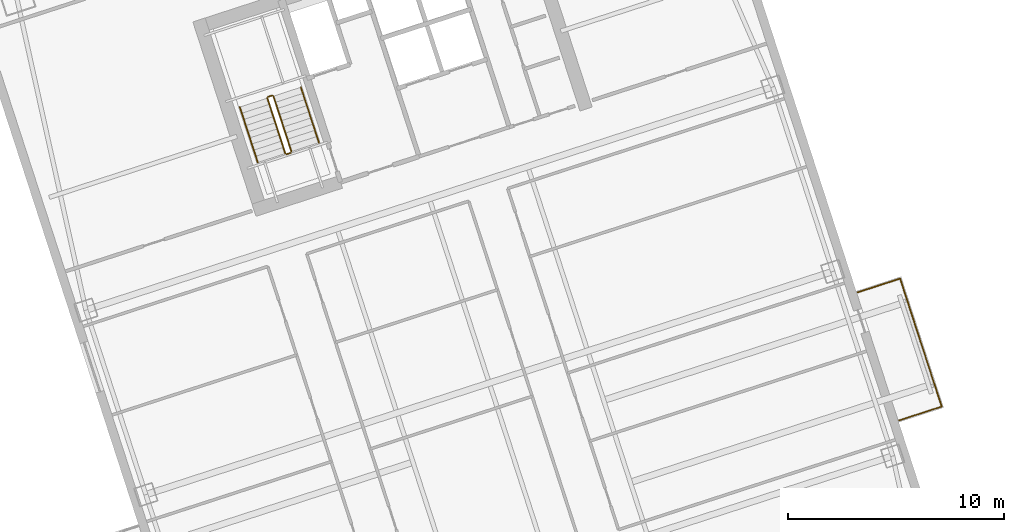
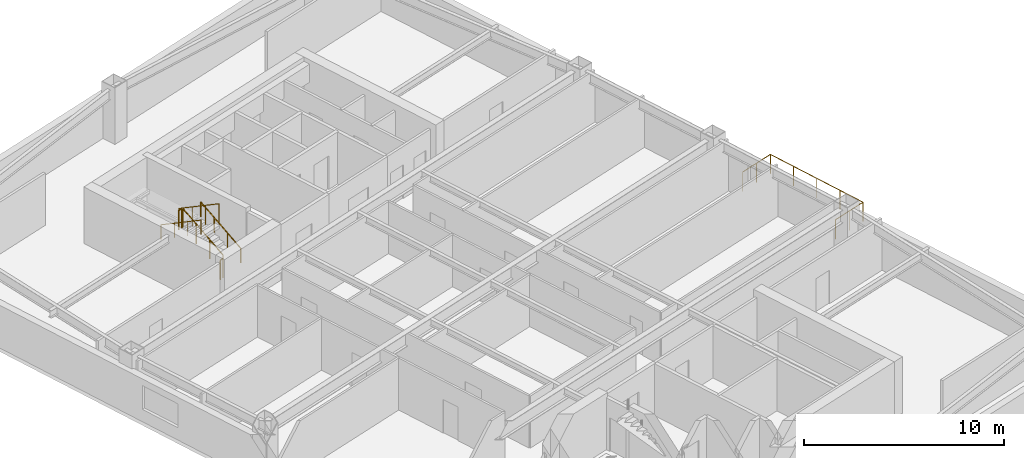
# One storey, part 14 of 14: 7 railings.
"""IFC4 building model written with IfcOpenShell, lengths in metres."""

from ifc_helpers import new_model, si_unit, direction, frame, origin, origin_2d, place, context, subcontext, project, spatial, circle, extrude, material, type_object, element, save


model = new_model("IFC4")

# Units and contexts
model_context = context("Model", 3, precision=1e-05, world=origin(), true_north=direction((0.0, 1.0)))
body_context = subcontext(model_context, "Body", "Model", "MODEL_VIEW")
ifc_project = project(units=[si_unit("LENGTHUNIT", "METRE"), si_unit("AREAUNIT", "SQUARE_METRE"), si_unit("VOLUMEUNIT", "CUBIC_METRE"), si_unit("PLANEANGLEUNIT", "RADIAN"), si_unit("MASSUNIT", "GRAM", prefix="KILO")], contexts=[model_context])

# Site, building, storey
site_placement = place(None, origin())
site = spatial("IfcSite", under=ifc_project, at=site_placement, CompositionType="ELEMENT")
building_placement = place(site_placement, origin())
building = spatial("IfcBuilding", under=site, at=building_placement, Name="Qiaolan Cultural Towers", CompositionType="ELEMENT")
storey_placement = place(building_placement, frame((0.0, 0.0, 124.199951171875)))
storey = spatial("IfcBuildingStorey", under=building, at=storey_placement, Name="L32", CompositionType="ELEMENT", Elevation=124.199951171875)

# Railings
ifc_material_1 = material(Name="Laminated SentryGlas & Stainless Steel S31608 Balustrade", Category="steel")
railing_type_1 = type_object("IfcRailingType", Name="GRD-TERR-1200", PredefinedType="BALUSTRADE", material=ifc_material_1)
railing_1_placement = place(storey_placement, frame((109.014892578125, 32.271240234375, 0.0)))
element("IfcRailing", 1, at=railing_1_placement, inside=storey, type_object=railing_type_1, Name="L32 T2 Tree Balcony Guardrail E", PredefinedType="BALUSTRADE", context=body_context, shape_type="SweptSolid", body=[
    extrude(circle(Radius=0.02392578125, at=origin_2d()), frame((0.0, 0.0, 1.17578125), z_axis=(0.951061799618, 0.309000733507, 0.0), x_axis=(-0.309000733507, 0.951061799618, 0.0)), (0.0, 0.0, 1.0), 2.070068359375),
    extrude(circle(Radius=0.02392578125, at=origin_2d()), frame((1.96875, 0.6396484375, 1.17578125), z_axis=(-0.309047146287, 0.951046718817, 0.0), x_axis=(-0.951046718817, -0.309047146287, 0.0)), (0.0, 0.0, 1.0), 6.239990234375),
    extrude(circle(Radius=0.02392578125, at=origin_2d()), frame((0.040283203125, 6.57421875, 1.17578125), z_axis=(-0.951050536716, -0.309035397023, 0.0), x_axis=(0.309035397023, -0.951050536716, 0.0)), (0.0, 0.0, 1.0), 2.06982421875),
    extrude(circle(Radius=0.02099609375, at=origin_2d()), origin(), (0.0, 0.0, 1.0), 1.15185546875),
    extrude(circle(Radius=0.02099609375, at=origin_2d()), frame((0.984375, 0.31982421875, 0.0)), (0.0, 0.0, 1.0), 1.15185546875),
    extrude(circle(Radius=0.02099609375, at=origin_2d()), frame((1.96875, 0.6396484375, 0.0)), (0.0, 0.0, 1.0), 1.15185546875),
    extrude(circle(Radius=0.02099609375, at=origin_2d()), frame((1.486572265625, 2.123291015625, 0.0)), (0.0, 0.0, 1.0), 1.15185546875),
    extrude(circle(Radius=0.02099609375, at=origin_2d()), frame((1.00439453125, 3.60693359375, 0.0)), (0.0, 0.0, 1.0), 1.15185546875),
    extrude(circle(Radius=0.02099609375, at=origin_2d()), frame((0.5224609375, 5.090576171875, 0.0)), (0.0, 0.0, 1.0), 1.15185546875),
    extrude(circle(Radius=0.02099609375, at=origin_2d()), frame((0.040283203125, 6.57421875, 0.0)), (0.0, 0.0, 1.0), 1.15185546875),
    extrude(circle(Radius=0.02099609375, at=origin_2d()), frame((-0.94384765625, 6.25439453125, 0.0)), (0.0, 0.0, 1.0), 1.15185546875),
    extrude(circle(Radius=0.02099609375, at=origin_2d()), frame((-1.92822265625, 5.9345703125, 0.0)), (0.0, 0.0, 1.0), 1.15185546875),
])
ifc_material_2 = material(Name="Galvanized Painted Steel Stair Guardrail", Category="steel")
railing_type_2 = type_object("IfcRailingType", Name="RL-STAIR-GRD", PredefinedType="GUARDRAIL", material=ifc_material_2)
railing_2_placement = place(storey_placement, frame((80.822021484375, 44.739501953125, 0.172607421875)))
element("IfcRailing", 2, at=railing_2_placement, inside=storey, type_object=railing_type_2, Name="L32 ST-E2 stair guard 1", PredefinedType="GUARDRAIL", context=body_context, shape_type="SweptSolid", body=[
    extrude(circle(Radius=0.02392578125, at=origin_2d()), frame((0.0, 0.0, 1.17578125), z_axis=(-0.26785290645, 0.824488402118, 0.498471358535), x_axis=(-0.951069945308, -0.308975661068, 0.0)), (0.0, 0.0, 1.0), 3.114501953125),
    extrude(circle(Radius=0.02099609375, at=origin_2d()), origin(), (0.0, 0.0, 1.0), 1.15185546875),
    extrude(circle(Radius=0.02099609375, at=origin_2d()), frame((-0.278076171875, 0.85595703125, 0.517578125)), (0.0, 0.0, 1.0), 1.15185546875),
    extrude(circle(Radius=0.02099609375, at=origin_2d()), frame((-0.55615234375, 1.7119140625, 1.034912109375)), (0.0, 0.0, 1.0), 1.15185546875),
    extrude(circle(Radius=0.02099609375, at=origin_2d()), frame((-0.834228515625, 2.56787109375, 1.552490234375)), (0.0, 0.0, 1.0), 1.15185546875),
])
railing_3_placement = place(storey_placement, frame((79.9248046875, 47.33935546875, 1.72509765625)))
element("IfcRailing", 3, at=railing_3_placement, inside=storey, type_object=railing_type_2, Name="L32 ST-E2 stair guard 2", PredefinedType="GUARDRAIL", context=body_context, shape_type="SweptSolid", body=[
    extrude(circle(Radius=0.02392578125, at=origin_2d()), frame((0.0, 0.0, 1.17578125), z_axis=(-0.951096855055, -0.308892816854, 0.0), x_axis=(0.308892816854, -0.951096855055, 0.0)), (0.0, 0.0, 1.0), 0.199951171875),
    extrude(circle(Radius=0.02099609375, at=origin_2d()), origin(), (0.0, 0.0, 1.0), 1.15185546875),
    extrude(circle(Radius=0.02099609375, at=origin_2d()), frame((-0.190185546875, -0.061767578125, 0.0)), (0.0, 0.0, 1.0), 1.15185546875),
])
railing_4_placement = place(storey_placement, frame((79.702392578125, 47.214599609375, 1.8974609375)))
element("IfcRailing", 4, at=railing_4_placement, inside=storey, type_object=railing_type_2, Name="L32 ST-E2 stair guard 3", PredefinedType="GUARDRAIL", context=body_context, shape_type="SweptSolid", body=[
    extrude(circle(Radius=0.02392578125, at=origin_2d()), frame((0.0, 0.0, 1.17578125), z_axis=(0.267925668498, -0.824471088726, 0.498460891159), x_axis=(0.951043371037, 0.309057448393, 0.0)), (0.0, 0.0, 1.0), 3.114501953125),
    extrude(circle(Radius=0.02099609375, at=origin_2d()), origin(), (0.0, 0.0, 1.0), 1.15185546875),
    extrude(circle(Radius=0.02099609375, at=origin_2d()), frame((0.278076171875, -0.85595703125, 0.517578125)), (0.0, 0.0, 1.0), 1.15185546875),
    extrude(circle(Radius=0.02099609375, at=origin_2d()), frame((0.556396484375, -1.7119140625, 1.034912109375)), (0.0, 0.0, 1.0), 1.15185546875),
    extrude(circle(Radius=0.02099609375, at=origin_2d()), frame((0.83447265625, -2.56787109375, 1.552490234375)), (0.0, 0.0, 1.0), 1.15185546875),
])
railing_5_placement = place(storey_placement, frame((80.7900390625, 44.676513671875, 0.0)))
element("IfcRailing", 5, at=railing_5_placement, inside=storey, type_object=railing_type_2, Name="L32 ST-E2 stair guard 4", PredefinedType="GUARDRAIL", context=body_context, shape_type="SweptSolid", body=[
    extrude(circle(Radius=0.02392578125, at=origin_2d()), frame((0.0, 0.0, 1.17578125), z_axis=(-0.951096855055, -0.308892816854, 0.0), x_axis=(0.308892816854, -0.951096855055, 0.0)), (0.0, 0.0, 1.0), 0.199951171875),
    extrude(circle(Radius=0.02099609375, at=origin_2d()), origin(), (0.0, 0.0, 1.0), 1.15185546875),
    extrude(circle(Radius=0.02099609375, at=origin_2d()), frame((-0.190185546875, -0.061767578125, 0.0)), (0.0, 0.0, 1.0), 1.15185546875),
])
ifc_material_3 = material(Name="Stainless Steel S30408 Tubular Handrail", Category="steel")
railing_type_3 = type_object("IfcRailingType", Name="RL-STAIR-HR", PredefinedType="HANDRAIL", material=ifc_material_3)
railing_6_placement = place(storey_placement, frame((82.096435546875, 45.153564453125, 0.172607421875)))
element("IfcRailing", 6, at=railing_6_placement, inside=storey, type_object=railing_type_3, Name="L32 ST-E2 stair handrail 1", PredefinedType="HANDRAIL", context=body_context, shape_type="SweptSolid", body=[
    extrude(circle(Radius=0.02392578125, at=origin_2d()), frame((0.0, 0.0, 0.8759765625), z_axis=(-0.26785290645, 0.824488402118, 0.498471358535), x_axis=(-0.951069945308, -0.308975661068, 0.0)), (0.0, 0.0, 1.0), 3.114501953125),
    extrude(circle(Radius=0.02099609375, at=origin_2d()), origin(), (0.0, 0.0, 1.0), 0.851806640625),
    extrude(circle(Radius=0.02099609375, at=origin_2d()), frame((-0.278076171875, 0.85595703125, 0.517578125)), (0.0, 0.0, 1.0), 0.851806640625),
    extrude(circle(Radius=0.02099609375, at=origin_2d()), frame((-0.55615234375, 1.7119140625, 1.034912109375)), (0.0, 0.0, 1.0), 0.851806640625),
    extrude(circle(Radius=0.02099609375, at=origin_2d()), frame((-0.834228515625, 2.56787109375, 1.552490234375)), (0.0, 0.0, 1.0), 0.851806640625),
])
railing_7_placement = place(storey_placement, frame((78.427978515625, 46.800537109375, 1.8974609375)))
element("IfcRailing", 7, at=railing_7_placement, inside=storey, type_object=railing_type_3, Name="L32 ST-E2 stair handrail 2", PredefinedType="HANDRAIL", context=body_context, shape_type="SweptSolid", body=[
    extrude(circle(Radius=0.02392578125, at=origin_2d()), frame((0.0, 0.0, 0.8759765625), z_axis=(0.267925668498, -0.824471088726, 0.498460891159), x_axis=(0.951043371037, 0.309057448393, 0.0)), (0.0, 0.0, 1.0), 3.114501953125),
    extrude(circle(Radius=0.02099609375, at=origin_2d()), origin(), (0.0, 0.0, 1.0), 0.851806640625),
    extrude(circle(Radius=0.02099609375, at=origin_2d()), frame((0.278076171875, -0.85595703125, 0.517578125)), (0.0, 0.0, 1.0), 0.851806640625),
    extrude(circle(Radius=0.02099609375, at=origin_2d()), frame((0.556396484375, -1.7119140625, 1.034912109375)), (0.0, 0.0, 1.0), 0.851806640625),
    extrude(circle(Radius=0.02099609375, at=origin_2d()), frame((0.83447265625, -2.56787109375, 1.552490234375)), (0.0, 0.0, 1.0), 0.851806640625),
])

save(model, "model.ifc")
